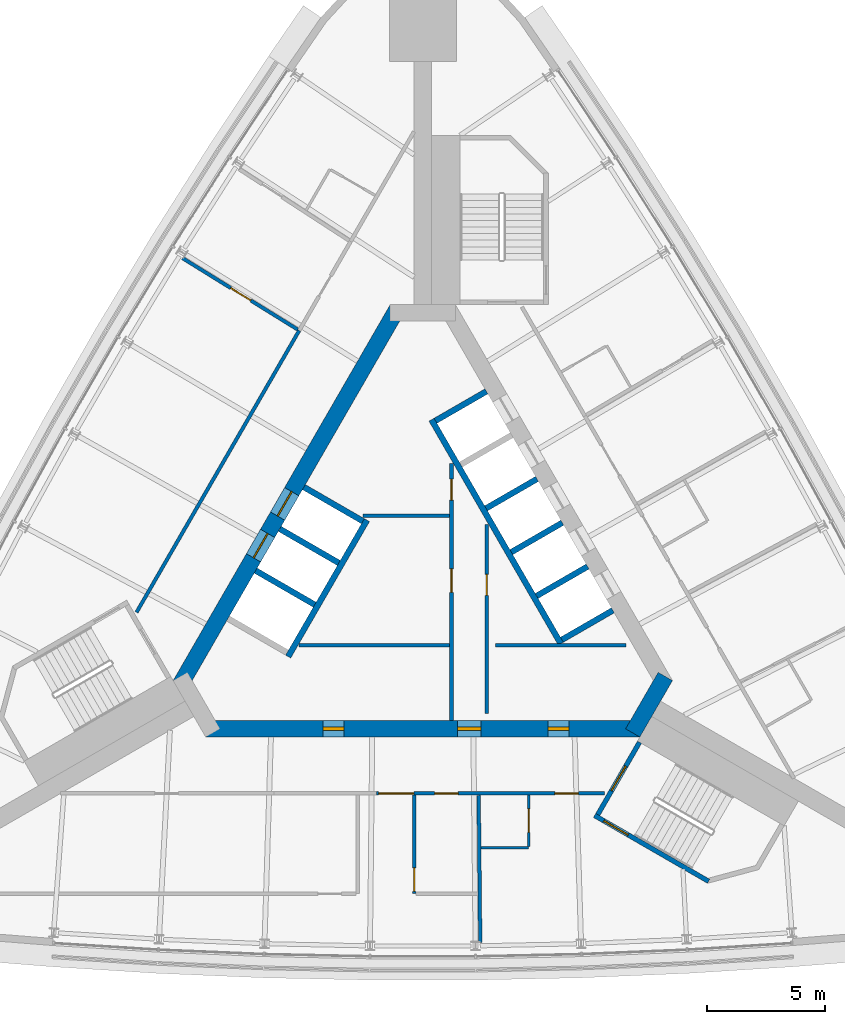
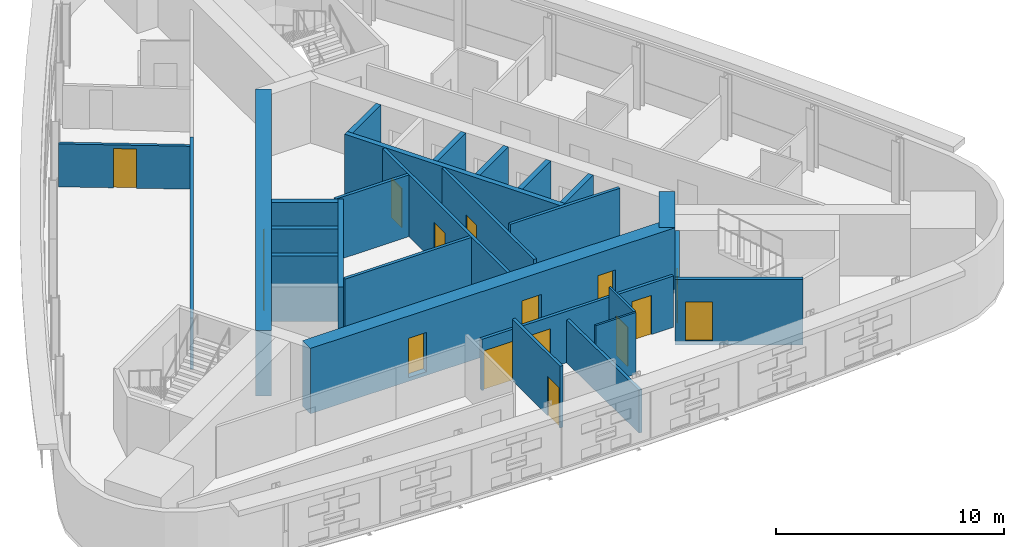
# One storey, part 8 of 12: 27 walls, 16 doors, 16 openings.
"""IFC4 building model written with IfcOpenShell, lengths in metres."""

from ifc_helpers import new_model, si_unit, direction, frame, frame_2d, origin, place, context, subcontext, project, spatial, rectangle, extrude, material, layer, layer_set, type_object, element, fill, save


model = new_model("IFC4")

# Units and contexts
model_context = context("Model", 3, precision=1e-05, world=origin(), true_north=direction((0.0, 1.0)))
body_context = subcontext(model_context, "Body", "Model", "MODEL_VIEW")
ifc_project = project(units=[si_unit("LENGTHUNIT", "METRE"), si_unit("AREAUNIT", "SQUARE_METRE"), si_unit("VOLUMEUNIT", "CUBIC_METRE"), si_unit("PLANEANGLEUNIT", "RADIAN"), si_unit("MASSUNIT", "GRAM", prefix="KILO")], contexts=[model_context])

# Site, building, storey
site_placement = place(None, origin())
site = spatial("IfcSite", under=ifc_project, at=site_placement, CompositionType="ELEMENT")
building_placement = place(site_placement, origin())
building = spatial("IfcBuilding", under=site, at=building_placement, Name="Noor Cloister Tower", CompositionType="ELEMENT")
storey_placement = place(building_placement, frame((0.0, 0.0, 165.300048828125)))
storey = spatial("IfcBuildingStorey", under=building, at=storey_placement, Name="L42", CompositionType="ELEMENT", Elevation=165.300048828125)

# Walls
ifc_material_1 = material(Name="Concrete C30/37", Category="concrete")
ifc_layer_1 = layer(ifc_material_1, 0.14990234375)
ifc_layer_set_1 = layer_set([ifc_layer_1], Name="Core partition 150 C30/37")
wall_type_1 = type_object("IfcWallType", Name="Core partition 150 C30/37", PredefinedType="PARTITIONING", material=ifc_layer_set_1)
wall_1_placement = place(storey_placement, frame((-5.2578125, -3.0283203125, 0.0), z_axis=(0.0, 0.0, 1.0), x_axis=(1.0, 0.0, 0.0)))
element("IfcWall", 1, at=wall_1_placement, inside=storey, type_object=wall_type_1, Name="Core room partition L42 1", PredefinedType="PARTITIONING", context=body_context, shape_type="SweptSolid", body=[
    extrude(rectangle(XDim=6.404052734375, YDim=0.14990234375, at=frame_2d((3.2021484375, 0.0))), origin(), (0.0, 0.0, 1.0), 3.300048828125),
])
wall_2_placement = place(storey_placement, frame((-2.55126953125, 2.4716796875, 0.0), z_axis=(0.0, 0.0, 1.0), x_axis=(1.0, 0.0, 0.0)))
element("IfcWall", 2, at=wall_2_placement, inside=storey, type_object=wall_type_1, Name="Core room partition L42 2", PredefinedType="PARTITIONING", context=body_context, shape_type="SweptSolid", body=[
    extrude(rectangle(XDim=3.697509765625, YDim=0.14990234375, at=frame_2d((1.8486328125, 0.0))), origin(), (0.0, 0.0, 1.0), 3.300048828125),
])

# Wall, openings, doors
wall_3_placement = place(storey_placement, frame((1.22119140625, 4.711181640625, 0.0), z_axis=(0.0, 0.0, 1.0), x_axis=(0.0, -1.0, 0.0)))
wall_3 = element("IfcWall", 3, at=wall_3_placement, inside=storey, type_object=wall_type_1, Name="Core room partition L42 3", PredefinedType="PARTITIONING", context=body_context, shape_type="SweptSolid", body=[
    extrude(rectangle(XDim=10.939453125, YDim=0.14990234375, at=frame_2d((5.4697265625, 0.0))), origin(), (0.0, 0.0, 1.0), 3.300048828125),
])
opening_1_placement = place(wall_3_placement, frame((4.4892578125, 0.0, 0.0)))
opening_1 = element("IfcOpeningElement", 4, at=opening_1_placement, cuts=wall_3, Name="Opening L42-904", PredefinedType="OPENING", context=body_context, shape_type="SweptSolid", body=[
    extrude(rectangle(XDim=1.0, YDim=2.10009765625, at=frame_2d((0.5, 1.050048828125))), frame((0.0, 0.0849609375, 0.0), z_axis=(0.0, -1.0, 0.0), x_axis=(1.0, 0.0, 0.0)), (0.0, 0.0, 1.0), 0.169921875),
])
opening_2_placement = place(wall_3_placement, frame((0.670654296875, 0.0, 0.0)))
opening_2 = element("IfcOpeningElement", 5, at=opening_2_placement, cuts=wall_3, Name="Opening L42-906", PredefinedType="OPENING", context=body_context, shape_type="SweptSolid", body=[
    extrude(rectangle(XDim=0.89990234375, YDim=2.10009765625, at=frame_2d((0.449951171875, 1.050048828125))), frame((0.0, 0.0849609375, 0.0), z_axis=(0.0, -1.0, 0.0), x_axis=(1.0, 0.0, 0.0)), (0.0, 0.0, 1.0), 0.169921875),
])
ifc_material_2 = material(Name="Steel", Category="steel")
door_type_1 = type_object("IfcDoorType", Name="Core door 1000 x 2100 FD60", OperationType="SINGLE_SWING_LEFT", PredefinedType="DOOR", material=ifc_material_2)
door_1_placement = place(opening_1_placement, origin())
door_1 = element("IfcDoor", 6, at=door_1_placement, inside=storey, type_object=door_type_1, Name="Core door 4 L42", OperationType="SINGLE_SWING_RIGHT", OverallHeight=2.10009765625, OverallWidth=1.0, PredefinedType="DOOR", context=body_context, shape_type="SweptSolid", body=[
    extrude(rectangle(XDim=1.0, YDim=2.10009765625, at=frame_2d((0.5, 1.050048828125))), frame((0.0, 0.02490234375, 0.0), z_axis=(0.0, -1.0, 0.0), x_axis=(1.0, 0.0, 0.0)), (0.0, 0.0, 1.0), 0.050048828125),
])
fill(opening_1, door_1)
ifc_material_3 = material(Name="Steel", Category="steel")
door_type_2 = type_object("IfcDoorType", Name="Core door 900 x 2100 FD120", OperationType="SINGLE_SWING_LEFT", PredefinedType="DOOR", material=ifc_material_3)
door_2_placement = place(opening_2_placement, origin())
door_2 = element("IfcDoor", 7, at=door_2_placement, inside=storey, type_object=door_type_2, Name="Core door 6 L42", OperationType="SINGLE_SWING_RIGHT", OverallHeight=2.10009765625, OverallWidth=0.89990234375, PredefinedType="DOOR", context=body_context, shape_type="SweptSolid", body=[
    extrude(rectangle(XDim=0.89990234375, YDim=2.10009765625, at=frame_2d((0.449951171875, 1.050048828125))), frame((0.0, 0.02490234375, 0.0), z_axis=(0.0, -1.0, 0.0), x_axis=(1.0, 0.0, 0.0)), (0.0, 0.0, 1.0), 0.050048828125),
])
fill(opening_2, door_2)

# Wall, opening, door
wall_4_placement = place(storey_placement, frame((2.72119140625, -5.92822265625, 0.0), z_axis=(0.0, 0.0, 1.0), x_axis=(0.0, 1.0, 0.0)))
wall_4 = element("IfcWall", 8, at=wall_4_placement, inside=storey, type_object=wall_type_1, Name="Core room partition L42 4", PredefinedType="PARTITIONING", context=body_context, shape_type="SweptSolid", body=[
    extrude(rectangle(XDim=8.041259765625, YDim=0.14990234375, at=frame_2d((4.0205078125, 0.0))), origin(), (0.0, 0.0, 1.0), 3.300048828125),
])
opening_3_placement = place(wall_4_placement, frame((5.01953125, 0.0, 0.0)))
opening_3 = element("IfcOpeningElement", 9, at=opening_3_placement, cuts=wall_4, Name="Opening L42-905", PredefinedType="OPENING", context=body_context, shape_type="SweptSolid", body=[
    extrude(rectangle(XDim=0.89990234375, YDim=2.10009765625, at=frame_2d((0.449951171875, 1.050048828125))), frame((0.0, 0.0849609375, 0.0), z_axis=(0.0, -1.0, 0.0), x_axis=(1.0, 0.0, 0.0)), (0.0, 0.0, 1.0), 0.169921875),
])
ifc_material_4 = material(Name="Steel", Category="steel")
door_type_3 = type_object("IfcDoorType", Name="Core door 900 x 2100 FD60", OperationType="SINGLE_SWING_LEFT", PredefinedType="DOOR", material=ifc_material_4)
door_3_placement = place(opening_3_placement, origin())
door_3 = element("IfcDoor", 10, at=door_3_placement, inside=storey, type_object=door_type_3, Name="Core door 5 L42", OperationType="SINGLE_SWING_LEFT", OverallHeight=2.10009765625, OverallWidth=0.89990234375, PredefinedType="DOOR", context=body_context, shape_type="SweptSolid", body=[
    extrude(rectangle(XDim=0.89990234375, YDim=2.10009765625, at=frame_2d((0.449951171875, 1.050048828125))), frame((0.0, 0.02490234375, 0.0), z_axis=(0.0, -1.0, 0.0), x_axis=(1.0, 0.0, 0.0)), (0.0, 0.0, 1.0), 0.050048828125),
])
fill(opening_3, door_3)

# Wall
wall_5_placement = place(storey_placement, frame((3.09619140625, -3.0283203125, 0.0), z_axis=(0.0, 0.0, 1.0), x_axis=(1.0, 0.0, 0.0)))
element("IfcWall", 11, at=wall_5_placement, inside=storey, type_object=wall_type_1, Name="Core room partition L42 5", PredefinedType="PARTITIONING", context=body_context, shape_type="SweptSolid", body=[
    extrude(rectangle(XDim=5.543701171875, YDim=0.14990234375, at=frame_2d((2.77197265625, 0.0))), origin(), (0.0, 0.0, 1.0), 3.300048828125),
])

# Wall, openings, doors
ifc_material_5 = material(Name="Concrete C70/85", Category="concrete")
ifc_layer_2 = layer(ifc_material_5, 0.699951171875)
ifc_layer_set_2 = layer_set([ifc_layer_2], Name="Core wall 700 C70/85")
wall_type_2 = type_object("IfcWallType", Name="Core wall 700 C70/85", PredefinedType="SHEAR", material=ifc_layer_set_2)
wall_6_placement = place(storey_placement, frame((-9.228759765625, -6.578125, -0.199951171875), z_axis=(0.0, 0.0, 1.0), x_axis=(1.0, 0.0, 0.0)))
wall_6 = element("IfcWall", 12, at=wall_6_placement, inside=storey, type_object=wall_type_2, Name="Core wall L42 1", PredefinedType="SHEAR", context=body_context, shape_type="SweptSolid", body=[
    extrude(rectangle(XDim=18.45751953125, YDim=0.699951171875, at=frame_2d((9.228759765625, 0.0))), origin(), (0.0, 0.0, 1.0), 3.5),
])
opening_4_placement = place(wall_6_placement, frame((10.699951171875, 0.0, 0.199951171875)))
opening_4 = element("IfcOpeningElement", 13, at=opening_4_placement, cuts=wall_6, Name="Opening L42-901", PredefinedType="OPENING", context=body_context, shape_type="SweptSolid", body=[
    extrude(rectangle(XDim=1.0, YDim=2.10009765625, at=frame_2d((0.5, 1.050048828125))), frame((0.0, 0.35986328125, 0.0), z_axis=(0.0, -1.0, 0.0), x_axis=(1.0, 0.0, 0.0)), (0.0, 0.0, 1.0), 0.719970703125),
])
opening_5_placement = place(wall_6_placement, frame((4.97705078125, 0.0, 0.199951171875)))
opening_5 = element("IfcOpeningElement", 14, at=opening_5_placement, cuts=wall_6, Name="Opening L42-902", PredefinedType="OPENING", context=body_context, shape_type="SweptSolid", body=[
    extrude(rectangle(XDim=0.89990234375, YDim=2.10009765625, at=frame_2d((0.449951171875, 1.050048828125))), frame((0.0, 0.35986328125, 0.0), z_axis=(0.0, -1.0, 0.0), x_axis=(1.0, 0.0, 0.0)), (0.0, 0.0, 1.0), 0.719970703125),
])
opening_6_placement = place(wall_6_placement, frame((14.551513671875, 0.0, 0.199951171875)))
opening_6 = element("IfcOpeningElement", 15, at=opening_6_placement, cuts=wall_6, Name="Opening L42-903", PredefinedType="OPENING", context=body_context, shape_type="SweptSolid", body=[
    extrude(rectangle(XDim=0.89990234375, YDim=2.10009765625, at=frame_2d((0.449951171875, 1.050048828125))), frame((0.0, 0.35986328125, 0.0), z_axis=(0.0, -1.0, 0.0), x_axis=(1.0, 0.0, 0.0)), (0.0, 0.0, 1.0), 0.719970703125),
])
ifc_material_6 = material(Name="Steel", Category="steel")
door_type_4 = type_object("IfcDoorType", Name="Core door 1000 x 2100 FD120", OperationType="SINGLE_SWING_LEFT", PredefinedType="DOOR", material=ifc_material_6)
door_4_placement = place(opening_4_placement, origin())
door_4 = element("IfcDoor", 16, at=door_4_placement, inside=storey, type_object=door_type_4, Name="Core door 1 L42", OperationType="SINGLE_SWING_LEFT", OverallHeight=2.10009765625, OverallWidth=1.0, PredefinedType="DOOR", context=body_context, shape_type="SweptSolid", body=[
    extrude(rectangle(XDim=1.0, YDim=2.10009765625, at=frame_2d((0.5, 1.050048828125))), frame((0.0, 0.074951171875, 0.0), z_axis=(0.0, -1.0, 0.0), x_axis=(1.0, 0.0, 0.0)), (0.0, 0.0, 1.0), 0.14990234375),
])
fill(opening_4, door_4)
door_5_placement = place(opening_5_placement, origin())
door_5 = element("IfcDoor", 17, at=door_5_placement, inside=storey, type_object=door_type_2, Name="Core door 2 L42", OperationType="SINGLE_SWING_RIGHT", OverallHeight=2.10009765625, OverallWidth=0.89990234375, PredefinedType="DOOR", context=body_context, shape_type="SweptSolid", body=[
    extrude(rectangle(XDim=0.89990234375, YDim=2.10009765625, at=frame_2d((0.449951171875, 1.050048828125))), frame((0.0, 0.074951171875, 0.0), z_axis=(0.0, -1.0, 0.0), x_axis=(1.0, 0.0, 0.0)), (0.0, 0.0, 1.0), 0.14990234375),
])
fill(opening_5, door_5)
door_6_placement = place(opening_6_placement, origin())
door_6 = element("IfcDoor", 18, at=door_6_placement, inside=storey, type_object=door_type_2, Name="Core door 3 L42", OperationType="SINGLE_SWING_LEFT", OverallHeight=2.10009765625, OverallWidth=0.89990234375, PredefinedType="DOOR", context=body_context, shape_type="SweptSolid", body=[
    extrude(rectangle(XDim=0.89990234375, YDim=2.10009765625, at=frame_2d((0.449951171875, 1.050048828125))), frame((0.0, 0.074951171875, 0.0), z_axis=(0.0, -1.0, 0.0), x_axis=(1.0, 0.0, 0.0)), (0.0, 0.0, 1.0), 0.14990234375),
])
fill(opening_6, door_6)

# Wall
wall_7_placement = place(storey_placement, frame((8.925537109375, -6.753173828125, -0.199951171875), z_axis=(0.0, 0.0, 1.0), x_axis=(0.500042739161, 0.866000726912, 0.0)))
element("IfcWall", 19, at=wall_7_placement, inside=storey, type_object=wall_type_2, Name="Core wall L42 2", PredefinedType="SHEAR", context=body_context, shape_type="SweptSolid", body=[
    extrude(rectangle(XDim=2.771240234375, YDim=0.699951171875, at=frame_2d((1.3857421875, 0.0))), origin(), (0.0, 0.0, 1.0), 3.5),
])

# Wall, openings, doors
wall_8_placement = place(storey_placement, frame((-1.08251953125, 11.281494140625, -0.199951171875), z_axis=(0.0, 0.0, 1.0), x_axis=(-0.500001446645, -0.866024568562, 0.0)))
wall_8 = element("IfcWall", 20, at=wall_8_placement, inside=storey, type_object=wall_type_2, Name="Core wall L42 5", PredefinedType="SHEAR", context=body_context, shape_type="SweptSolid", body=[
    extrude(rectangle(XDim=18.45751953125, YDim=0.699951171875, at=frame_2d((9.228759765625, 0.0))), origin(), (0.0, 0.0, 1.0), 3.5),
])
opening_7_placement = place(wall_8_placement, frame((8.978759765625, 0.0, 0.199951171875)))
opening_7 = element("IfcOpeningElement", 21, at=opening_7_placement, cuts=wall_8, Name="Opening L42-FF1", PredefinedType="OPENING", context=body_context, shape_type="SweptSolid", body=[
    extrude(rectangle(XDim=1.199951171875, YDim=2.10009765625, at=frame_2d((0.60009765625, 1.050048828125))), frame((0.0, 0.35986328125, 0.0), z_axis=(0.0, -1.0, 0.0), x_axis=(1.0, 0.0, 0.0)), (0.0, 0.0, 1.0), 0.719970703125),
])
opening_8_placement = place(wall_8_placement, frame((11.02880859375, 0.0, 0.199951171875)))
opening_8 = element("IfcOpeningElement", 22, at=opening_8_placement, cuts=wall_8, Name="Opening L42-FF2", PredefinedType="OPENING", context=body_context, shape_type="SweptSolid", body=[
    extrude(rectangle(XDim=1.199951171875, YDim=2.10009765625, at=frame_2d((0.60009765625, 1.050048828125))), frame((0.0, 0.35986328125, 0.0), z_axis=(0.0, -1.0, 0.0), x_axis=(1.0, 0.0, 0.0)), (0.0, 0.0, 1.0), 0.719970703125),
])
ifc_material_7 = material(Name="Stainless steel", Category="steel")
door_type_5 = type_object("IfcDoorType", Name="Lift landing door 1200 x 2100", OperationType="DOUBLE_DOOR_SLIDING", PredefinedType="DOOR", material=ifc_material_7)
door_7_placement = place(opening_7_placement, origin())
door_7 = element("IfcDoor", 23, at=door_7_placement, inside=storey, type_object=door_type_5, Name="Landing door FF1 L42", OperationType="DOUBLE_DOOR_SLIDING", OverallHeight=2.10009765625, OverallWidth=1.199951171875, PredefinedType="DOOR", context=body_context, shape_type="SweptSolid", body=[
    extrude(rectangle(XDim=1.199951171875, YDim=2.10009765625, at=frame_2d((0.60009765625, 1.050048828125))), frame((0.0, 0.02490234375, 0.0), z_axis=(0.0, -1.0, 0.0), x_axis=(1.0, 0.0, 0.0)), (0.0, 0.0, 1.0), 0.050048828125),
])
fill(opening_7, door_7)
door_8_placement = place(opening_8_placement, origin())
door_8 = element("IfcDoor", 24, at=door_8_placement, inside=storey, type_object=door_type_5, Name="Landing door FF2 L42", OperationType="DOUBLE_DOOR_SLIDING", OverallHeight=2.10009765625, OverallWidth=1.199951171875, PredefinedType="DOOR", context=body_context, shape_type="SweptSolid", body=[
    extrude(rectangle(XDim=1.199951171875, YDim=2.10009765625, at=frame_2d((0.60009765625, 1.050048828125))), frame((0.0, 0.02490234375, 0.0), z_axis=(0.0, -1.0, 0.0), x_axis=(1.0, 0.0, 0.0)), (0.0, 0.0, 1.0), 0.050048828125),
])
fill(opening_8, door_8)

# Wall
ifc_material_8 = material(Name="Fire-rated gypsum board partition on steel studs, 150 mm", Category="steel")
ifc_layer_3 = layer(ifc_material_8, 0.14990234375)
ifc_layer_set_3 = layer_set([ifc_layer_3], Name="Fire lobby wall 150")
wall_type_3 = type_object("IfcWallType", Name="Fire lobby wall 150", PredefinedType="PARTITIONING", material=ifc_layer_set_3)
wall_9_placement = place(storey_placement, frame((-5.253173828125, 10.357666015625, 0.0), z_axis=(0.0, 0.0, 1.0), x_axis=(-0.49999425657, -0.86602871973, 0.0)))
element("IfcWall", 25, at=wall_9_placement, inside=storey, type_object=wall_type_3, Name="Wall L42-W25", PredefinedType="PARTITIONING", context=body_context, shape_type="SweptSolid", body=[
    extrude(rectangle(XDim=13.840087890625, YDim=0.14990234375, at=frame_2d((6.919921875, 0.0))), origin(), (0.0, 0.0, 1.0), 2.7470703125),
])

# Wall, openings, doors
ifc_material_9 = material(Name="Gypsum board partition on steel studs, 150 mm", Category="steel")
ifc_layer_4 = layer(ifc_material_9, 0.14990234375)
ifc_layer_set_4 = layer_set([ifc_layer_4], Name="Flat wall 150")
wall_type_4 = type_object("IfcWallType", Name="Flat wall 150", PredefinedType="PARTITIONING", material=ifc_layer_set_4)
wall_10_placement = place(storey_placement, frame((-1.976318359375, -9.328125, 0.0), z_axis=(0.0, 0.0, 1.0), x_axis=(1.0, 0.0, 0.0)))
wall_10 = element("IfcWall", 26, at=wall_10_placement, inside=storey, type_object=wall_type_4, Name="Wall L42-W15", PredefinedType="PARTITIONING", context=body_context, shape_type="SweptSolid", body=[
    extrude(rectangle(XDim=9.703857421875, YDim=0.14990234375, at=frame_2d((4.85205078125, 0.0))), origin(), (0.0, 0.0, 1.0), 2.7470703125),
])
opening_9_placement = place(wall_10_placement, frame((0.10009765625, 0.0, 0.0)))
opening_9 = element("IfcOpeningElement", 27, at=opening_9_placement, cuts=wall_10, Name="Opening L42-009", PredefinedType="OPENING", context=body_context, shape_type="SweptSolid", body=[
    extrude(rectangle(XDim=1.5, YDim=2.10009765625, at=frame_2d((0.75, 1.050048828125))), frame((0.0, 0.0849609375, 0.0), z_axis=(0.0, -1.0, 0.0), x_axis=(1.0, 0.0, 0.0)), (0.0, 0.0, 1.0), 0.169921875),
])
opening_10_placement = place(wall_10_placement, frame((2.483642578125, 0.0, 0.0)))
opening_10 = element("IfcOpeningElement", 28, at=opening_10_placement, cuts=wall_10, Name="Opening L42-013", PredefinedType="OPENING", context=body_context, shape_type="SweptSolid", body=[
    extrude(rectangle(XDim=1.0, YDim=2.10009765625, at=frame_2d((0.5, 1.050048828125))), frame((0.0, 0.0849609375, 0.0), z_axis=(0.0, -1.0, 0.0), x_axis=(1.0, 0.0, 0.0)), (0.0, 0.0, 1.0), 0.169921875),
])
opening_11_placement = place(wall_10_placement, frame((7.59033203125, 0.0, 0.0)))
opening_11 = element("IfcOpeningElement", 29, at=opening_11_placement, cuts=wall_10, Name="Opening L42-015", PredefinedType="OPENING", context=body_context, shape_type="SweptSolid", body=[
    extrude(rectangle(XDim=1.0, YDim=2.10009765625, at=frame_2d((0.5, 1.050048828125))), frame((0.0, 0.0849609375, 0.0), z_axis=(0.0, -1.0, 0.0), x_axis=(1.0, 0.0, 0.0)), (0.0, 0.0, 1.0), 0.169921875),
])
ifc_material_10 = material(Name="Timber door leaf with steel frame", Category="steel")
door_type_6 = type_object("IfcDoorType", Name="Double door 1500 FD60", OperationType="NOTDEFINED", PredefinedType="DOOR", material=ifc_material_10)
door_9_placement = place(opening_9_placement, origin())
door_9 = element("IfcDoor", 30, at=door_9_placement, inside=storey, type_object=door_type_6, Name="Door L42-009", OperationType="DOUBLE_DOOR_SINGLE_SWING", OverallHeight=2.10009765625, OverallWidth=1.5, PredefinedType="DOOR", context=body_context, shape_type="SweptSolid", body=[
    extrude(rectangle(XDim=1.5, YDim=2.10009765625, at=frame_2d((0.75, 1.050048828125))), frame((0.0, 0.02490234375, 0.0), z_axis=(0.0, -1.0, 0.0), x_axis=(1.0, 0.0, 0.0)), (0.0, 0.0, 1.0), 0.050048828125),
])
fill(opening_9, door_9)
ifc_material_11 = material(Name="Timber door leaf with steel frame", Category="steel")
door_type_7 = type_object("IfcDoorType", Name="Flat entrance door 1000", OperationType="NOTDEFINED", PredefinedType="DOOR", material=ifc_material_11)
door_10_placement = place(opening_11_placement, origin())
door_10 = element("IfcDoor", 31, at=door_10_placement, inside=storey, type_object=door_type_7, Name="Door L42-015", OperationType="SINGLE_SWING_LEFT", OverallHeight=2.10009765625, OverallWidth=1.0, PredefinedType="DOOR", context=body_context, shape_type="SweptSolid", body=[
    extrude(rectangle(XDim=1.0, YDim=2.10009765625, at=frame_2d((0.5, 1.050048828125))), frame((0.0, 0.02490234375, 0.0), z_axis=(0.0, -1.0, 0.0), x_axis=(1.0, 0.0, 0.0)), (0.0, 0.0, 1.0), 0.050048828125),
])
fill(opening_11, door_10)
ifc_material_12 = material(Name="Timber door leaf with steel frame", Category="steel")
door_type_8 = type_object("IfcDoorType", Name="Interior door 1000 FD60", OperationType="NOTDEFINED", PredefinedType="DOOR", material=ifc_material_12)
door_11_placement = place(opening_10_placement, origin())
door_11 = element("IfcDoor", 32, at=door_11_placement, inside=storey, type_object=door_type_8, Name="Door L42-013", OperationType="SINGLE_SWING_LEFT", OverallHeight=2.10009765625, OverallWidth=1.0, PredefinedType="DOOR", context=body_context, shape_type="SweptSolid", body=[
    extrude(rectangle(XDim=1.0, YDim=2.10009765625, at=frame_2d((0.5, 1.050048828125))), frame((0.0, 0.02490234375, 0.0), z_axis=(0.0, -1.0, 0.0), x_axis=(1.0, 0.0, 0.0)), (0.0, 0.0, 1.0), 0.050048828125),
])
fill(opening_10, door_11)

# Wall
wall_11_placement = place(storey_placement, frame((2.442626953125, -15.654541015625, 0.0), z_axis=(0.0, 0.0, 1.0), x_axis=(-0.010466132445, 0.999945228536, 0.0)))
element("IfcWall", 33, at=wall_11_placement, inside=storey, type_object=wall_type_4, Name="Wall L42-W17", PredefinedType="PARTITIONING", context=body_context, shape_type="SweptSolid", body=[
    extrude(rectangle(XDim=6.25146484375, YDim=0.14990234375, at=frame_2d((3.125732421875, 0.0))), origin(), (0.0, 0.0, 1.0), 2.296875),
])

# Wall, opening, door
wall_12_placement = place(storey_placement, frame((-0.36181640625, -9.4033203125, 0.0), z_axis=(0.0, 0.0, 1.0), x_axis=(0.0, -1.0, 0.0)))
wall_12 = element("IfcWall", 34, at=wall_12_placement, inside=storey, type_object=wall_type_4, Name="Wall L42-W19", PredefinedType="PARTITIONING", context=body_context, shape_type="SweptSolid", body=[
    extrude(rectangle(XDim=4.18310546875, YDim=0.14990234375, at=frame_2d((2.091552734375, 0.0))), origin(), (0.0, 0.0, 1.0), 3.300048828125),
])
opening_12_placement = place(wall_12_placement, frame((3.083251953125, 0.0, 0.0)))
opening_12 = element("IfcOpeningElement", 35, at=opening_12_placement, cuts=wall_12, Name="Opening L42-012", PredefinedType="OPENING", context=body_context, shape_type="SweptSolid", body=[
    extrude(rectangle(XDim=1.0, YDim=2.10009765625, at=frame_2d((0.5, 1.050048828125))), frame((0.0, 0.0849609375, 0.0), z_axis=(0.0, -1.0, 0.0), x_axis=(1.0, 0.0, 0.0)), (0.0, 0.0, 1.0), 0.169921875),
])
door_12_placement = place(opening_12_placement, origin())
door_12 = element("IfcDoor", 36, at=door_12_placement, inside=storey, type_object=door_type_8, Name="Door L42-012", OperationType="SINGLE_SWING_RIGHT", OverallHeight=2.10009765625, OverallWidth=1.0, PredefinedType="DOOR", context=body_context, shape_type="SweptSolid", body=[
    extrude(rectangle(XDim=1.0, YDim=2.10009765625, at=frame_2d((0.5, 1.050048828125))), frame((0.0, 0.02490234375, 0.0), z_axis=(0.0, -1.0, 0.0), x_axis=(1.0, 0.0, 0.0)), (0.0, 0.0, 1.0), 0.050048828125),
])
fill(opening_12, door_12)

wall_13_placement = place(storey_placement, frame((-10.2197265625, 13.43701171875, 0.0), z_axis=(0.0, 0.0, 1.0), x_axis=(0.849899659129, -0.526944560094, 0.0)))
wall_13 = element("IfcWall", 37, at=wall_13_placement, inside=storey, type_object=wall_type_4, Name="Wall L42-W27", PredefinedType="PARTITIONING", context=body_context, shape_type="SweptSolid", body=[
    extrude(rectangle(XDim=5.768798828125, YDim=0.14990234375, at=frame_2d((2.88427734375, 0.0))), origin(), (0.0, 0.0, 1.0), 2.296875),
])
opening_13_placement = place(wall_13_placement, frame((2.421875, 0.0, 0.0)))
opening_13 = element("IfcOpeningElement", 38, at=opening_13_placement, cuts=wall_13, Name="Opening L42-019", PredefinedType="OPENING", context=body_context, shape_type="SweptSolid", body=[
    extrude(rectangle(XDim=1.0, YDim=2.10009765625, at=frame_2d((0.5, 1.050048828125))), frame((0.0, 0.0849609375, 0.0), z_axis=(0.0, -1.0, 0.0), x_axis=(1.0, 0.0, 0.0)), (0.0, 0.0, 1.0), 0.169921875),
])
door_13_placement = place(opening_13_placement, origin())
door_13 = element("IfcDoor", 39, at=door_13_placement, inside=storey, type_object=door_type_8, Name="Door L42-019", OperationType="SINGLE_SWING_LEFT", OverallHeight=2.10009765625, OverallWidth=1.0, PredefinedType="DOOR", context=body_context, shape_type="SweptSolid", body=[
    extrude(rectangle(XDim=1.0, YDim=2.10009765625, at=frame_2d((0.5, 1.050048828125))), frame((0.0, 0.02490234375, 0.0), z_axis=(0.0, -1.0, 0.0), x_axis=(1.0, 0.0, 0.0)), (0.0, 0.0, 1.0), 0.050048828125),
])
fill(opening_13, door_13)

# Wall
ifc_material_13 = material(Name="Gypsum board partition on steel studs, 100 mm", Category="steel")
ifc_layer_5 = layer(ifc_material_13, 0.10009765625)
ifc_layer_set_5 = layer_set([ifc_layer_5], Name="Partition 100")
wall_type_5 = type_object("IfcWallType", Name="Partition 100", PredefinedType="PARTITIONING", material=ifc_layer_set_5)
wall_14_placement = place(storey_placement, frame((2.475341796875, -11.628173828125, 0.0), z_axis=(0.0, 0.0, 1.0), x_axis=(1.0, 0.0, 0.0)))
element("IfcWall", 40, at=wall_14_placement, inside=storey, type_object=wall_type_5, Name="Wall L42-W22", PredefinedType="PARTITIONING", context=body_context, shape_type="SweptSolid", body=[
    extrude(rectangle(XDim=2.025146484375, YDim=0.10009765625, at=frame_2d((1.0126953125, 0.0))), origin(), (0.0, 0.0, 1.0), 3.300048828125),
])

# Wall, opening, door
wall_15_placement = place(storey_placement, frame((4.50048828125, -11.578125, 0.0), z_axis=(0.0, 0.0, 1.0), x_axis=(0.0, 1.0, 0.0)))
wall_15 = element("IfcWall", 41, at=wall_15_placement, inside=storey, type_object=wall_type_5, Name="Wall L42-W23", PredefinedType="PARTITIONING", context=body_context, shape_type="SweptSolid", body=[
    extrude(rectangle(XDim=2.1748046875, YDim=0.10009765625, at=frame_2d((1.08740234375, 0.0))), origin(), (0.0, 0.0, 1.0), 3.300048828125),
])
opening_14_placement = place(wall_15_placement, frame((0.60009765625, 0.0, 0.0)))
opening_14 = element("IfcOpeningElement", 42, at=opening_14_placement, cuts=wall_15, Name="Opening L42-014", PredefinedType="OPENING", context=body_context, shape_type="SweptSolid", body=[
    extrude(rectangle(XDim=1.0, YDim=2.10009765625, at=frame_2d((0.5, 1.050048828125))), frame((0.0, 0.06005859375, 0.0), z_axis=(0.0, -1.0, 0.0), x_axis=(1.0, 0.0, 0.0)), (0.0, 0.0, 1.0), 0.1201171875),
])
ifc_material_14 = material(Name="Timber door leaf with steel frame", Category="steel")
door_type_9 = type_object("IfcDoorType", Name="Interior door 1000", OperationType="NOTDEFINED", PredefinedType="DOOR", material=ifc_material_14)
door_14_placement = place(opening_14_placement, origin())
door_14 = element("IfcDoor", 43, at=door_14_placement, inside=storey, type_object=door_type_9, Name="Door L42-014", OperationType="SINGLE_SWING_RIGHT", OverallHeight=2.10009765625, OverallWidth=1.0, PredefinedType="DOOR", context=body_context, shape_type="SweptSolid", body=[
    extrude(rectangle(XDim=1.0, YDim=2.10009765625, at=frame_2d((0.5, 1.050048828125))), frame((0.0, 0.02490234375, 0.0), z_axis=(0.0, -1.0, 0.0), x_axis=(1.0, 0.0, 0.0)), (0.0, 0.0, 1.0), 0.050048828125),
])
fill(opening_14, door_14)

# Walls
ifc_material_15 = material(Name="Concrete C70/85", Category="concrete")
ifc_layer_6 = layer(ifc_material_15, 0.25)
ifc_layer_set_6 = layer_set([ifc_layer_6], Name="Shaft wall 250 C70/85")
wall_type_6 = type_object("IfcWallType", Name="Shaft wall 250 C70/85", PredefinedType="PARTITIONING", material=ifc_layer_set_6)
for number, where, z_axis, x_axis, name in (
    (44, (8.081298828125, -1.540771484375, -0.199951171875), (0.0, 0.0, 1.0), (-0.866022959057, -0.500004234368, 0.0), "Lift shaft wall L42 NE 1"),
    (45, (7.00634765625, 0.3212890625, -0.199951171875), (0.0, 0.0, 1.0), (-0.866022959057, -0.500004234368, 0.0), "Lift shaft wall L42 NE 2"),
):
    element("IfcWall", number, at=place(storey_placement, frame(where, z_axis=z_axis, x_axis=x_axis)), inside=storey, type_object=wall_type_6, Name=name, PredefinedType="PARTITIONING", context=body_context, shape_type="SweptSolid", body=[
        extrude(rectangle(XDim=2.5, YDim=0.25, at=frame_2d((1.25, 0.0))), origin(), (0.0, 0.0, 1.0), 3.5),
    ])
wall_16_placement = place(storey_placement, frame((5.931396484375, 2.18310546875, -0.199951171875), z_axis=(0.0, 0.0, 1.0), x_axis=(-0.866047370643, -0.499961950354, 0.0)))
element("IfcWall", 46, at=wall_16_placement, inside=storey, type_object=wall_type_6, Name="Lift shaft wall L42 NE 3", PredefinedType="PARTITIONING", context=body_context, shape_type="SweptSolid", body=[
    extrude(rectangle(XDim=2.500244140625, YDim=0.25, at=frame_2d((1.25, 0.0))), origin(), (0.0, 0.0, 1.0), 3.5),
])
for number, where, z_axis, x_axis, name in (
    (47, (4.856201171875, 4.045166015625, -0.199951171875), (0.0, 0.0, 1.0), (-0.866022959057, -0.500004234368, 0.0), "Lift shaft wall L42 NE 4"),
    (48, (2.706298828125, 7.76904296875, -0.199951171875), (0.0, 0.0, 1.0), (-0.866022959057, -0.500004234368, 0.0), "Lift shaft wall L42 NE 6"),
):
    element("IfcWall", number, at=place(storey_placement, frame(where, z_axis=z_axis, x_axis=x_axis)), inside=storey, type_object=wall_type_6, Name=name, PredefinedType="PARTITIONING", context=body_context, shape_type="SweptSolid", body=[
        extrude(rectangle(XDim=2.5, YDim=0.25, at=frame_2d((1.25, 0.0))), origin(), (0.0, 0.0, 1.0), 3.5),
    ])
wall_17_placement = place(storey_placement, frame((5.870361328125, -2.96142578125, 0.0), z_axis=(0.0, 0.0, 1.0), x_axis=(-0.50000615651, 0.866021849293, 0.0)))
element("IfcWall", 49, at=wall_17_placement, inside=storey, type_object=wall_type_6, Name="Lift shaft back wall L42 NE", PredefinedType="PARTITIONING", context=body_context, shape_type="SweptSolid", body=[
    extrude(rectangle(XDim=10.999755859375, YDim=0.25, at=frame_2d((5.5, 0.0))), origin(), (0.0, 0.0, 1.0), 3.300048828125),
])
for number, where, z_axis, x_axis, name in (
    (50, (-5.056396484375, 3.69873046875, -0.199951171875), (0.0, 0.0, 1.0), (0.866032775405, -0.499987231761, 0.0), "Lift shaft wall L42 NW 3"),
    (51, (-6.081298828125, 1.92333984375, -0.199951171875), (0.0, 0.0, 1.0), (0.866032775405, -0.499987231761, 0.0), "Lift shaft wall L42 NW 4"),
    (52, (-7.106201171875, 0.14794921875, -0.199951171875), (0.0, 0.0, 1.0), (0.866032775405, -0.499987231761, 0.0), "Lift shaft wall L42 NW 5"),
):
    element("IfcWall", number, at=place(storey_placement, frame(where, z_axis=z_axis, x_axis=x_axis)), inside=storey, type_object=wall_type_6, Name=name, PredefinedType="PARTITIONING", context=body_context, shape_type="SweptSolid", body=[
        extrude(rectangle(XDim=2.89990234375, YDim=0.25, at=frame_2d((1.449951171875, 0.0))), origin(), (0.0, 0.0, 1.0), 3.5),
    ])
wall_18_placement = place(storey_placement, frame((-2.3740234375, 2.29443359375, 0.0), z_axis=(0.0, 0.0, 1.0), x_axis=(-0.500003174267, -0.866023571113, 0.0)))
element("IfcWall", 53, at=wall_18_placement, inside=storey, type_object=wall_type_6, Name="Lift shaft back wall L42 NW", PredefinedType="PARTITIONING", context=body_context, shape_type="SweptSolid", body=[
    extrude(rectangle(XDim=6.7001953125, YDim=0.25, at=frame_2d((3.35009765625, 0.0))), origin(), (0.0, 0.0, 1.0), 3.300048828125),
])

# Wall, opening, door
ifc_material_16 = material(Name="Concrete C70/85", Category="concrete")
ifc_layer_7 = layer(ifc_material_16, 0.199951171875)
ifc_layer_set_7 = layer_set([ifc_layer_7], Name="Stair enclosure wall 200 C70/85")
wall_type_7 = type_object("IfcWallType", Name="Stair enclosure wall 200 C70/85", PredefinedType="SHEAR", material=ifc_layer_set_7)
wall_19_placement = place(storey_placement, frame((7.440185546875, -10.225830078125, -0.199951171875), z_axis=(0.0, 0.0, 1.0), x_axis=(0.500022077904, 0.866012656725, 0.0)))
wall_19 = element("IfcWall", 54, at=wall_19_placement, inside=storey, type_object=wall_type_7, Name="Stair enclosure wall ST3 L42 near end", PredefinedType="SHEAR", context=body_context, shape_type="SweptSolid", body=[
    extrude(rectangle(XDim=3.550048828125, YDim=0.199951171875, at=frame_2d((1.77490234375, 0.0))), origin(), (0.0, 0.0, 1.0), 3.5),
])
opening_15_placement = place(wall_19_placement, frame((1.175048828125, 0.0, 0.199951171875)))
opening_15 = element("IfcOpeningElement", 55, at=opening_15_placement, cuts=wall_19, Name="Opening L42-ST3L", PredefinedType="OPENING", context=body_context, shape_type="SweptSolid", body=[
    extrude(rectangle(XDim=1.199951171875, YDim=2.10009765625, at=frame_2d((0.60009765625, 1.050048828125))), frame((0.0, 0.10986328125, 0.0), z_axis=(0.0, -1.0, 0.0), x_axis=(1.0, 0.0, 0.0)), (0.0, 0.0, 1.0), 0.219970703125),
])
ifc_material_17 = material(Name="Steel", Category="steel")
door_type_10 = type_object("IfcDoorType", Name="Stair door 1200 x 2100 FD120", OperationType="SINGLE_SWING_LEFT", PredefinedType="DOOR", material=ifc_material_17)
door_15_placement = place(opening_15_placement, origin())
door_15 = element("IfcDoor", 56, at=door_15_placement, inside=storey, type_object=door_type_10, Name="Stair door ST3 L42", OperationType="SINGLE_SWING_RIGHT", OverallHeight=2.10009765625, OverallWidth=1.199951171875, PredefinedType="DOOR", context=body_context, shape_type="SweptSolid", body=[
    extrude(rectangle(XDim=1.199951171875, YDim=2.10009765625, at=frame_2d((0.60009765625, 1.050048828125))), frame((0.0, 0.02490234375, 0.0), z_axis=(0.0, -1.0, 0.0), x_axis=(1.0, 0.0, 0.0)), (0.0, 0.0, 1.0), 0.050048828125),
])
fill(opening_15, door_15)

wall_20_placement = place(storey_placement, frame((7.3037109375, -10.262451171875, -0.199951171875), z_axis=(0.0, 0.0, 1.0), x_axis=(0.866026594901, -0.49999793692, 0.0)))
wall_20 = element("IfcWall", 57, at=wall_20_placement, inside=storey, type_object=wall_type_7, Name="Stair enclosure wall ST3 L42 outer side", PredefinedType="SHEAR", context=body_context, shape_type="SweptSolid", body=[
    extrude(rectangle(XDim=5.60009765625, YDim=0.199951171875, at=frame_2d((2.800048828125, 0.0))), origin(), (0.0, 0.0, 1.0), 3.5),
])
opening_16_placement = place(wall_20_placement, frame((0.449951171875, 0.0, 0.199951171875)))
opening_16 = element("IfcOpeningElement", 58, at=opening_16_placement, cuts=wall_20, Name="Opening L42-ST3C", PredefinedType="OPENING", context=body_context, shape_type="SweptSolid", body=[
    extrude(rectangle(XDim=1.199951171875, YDim=2.10009765625, at=frame_2d((0.60009765625, 1.050048828125))), frame((0.0, 0.10986328125, 0.0), z_axis=(0.0, -1.0, 0.0), x_axis=(1.0, 0.0, 0.0)), (0.0, 0.0, 1.0), 0.219970703125),
])
door_16_placement = place(opening_16_placement, origin())
door_16 = element("IfcDoor", 59, at=door_16_placement, inside=storey, type_object=door_type_10, Name="Stair door ST3 L42", OperationType="SINGLE_SWING_LEFT", OverallHeight=2.10009765625, OverallWidth=1.199951171875, PredefinedType="DOOR", context=body_context, shape_type="SweptSolid", body=[
    extrude(rectangle(XDim=1.199951171875, YDim=2.10009765625, at=frame_2d((0.60009765625, 1.050048828125))), frame((0.0, 0.02490234375, 0.0), z_axis=(0.0, -1.0, 0.0), x_axis=(1.0, 0.0, 0.0)), (0.0, 0.0, 1.0), 0.050048828125),
])
fill(opening_16, door_16)

save(model, "model.ifc")
